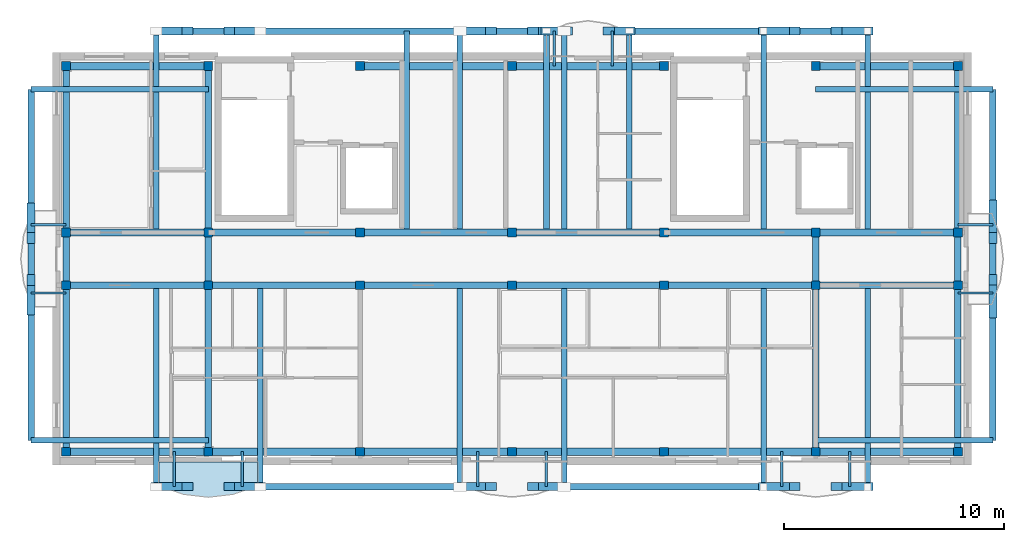
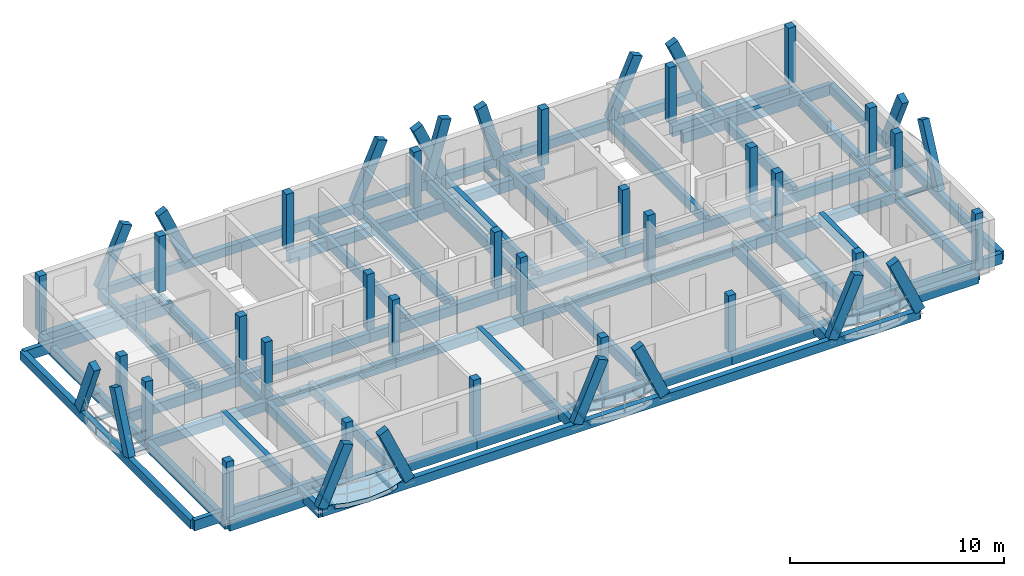
# One storey, part 1 of 7: 67 beams, 28 columns, 18 members, 1 slab.
"""IFC4 building model written with IfcOpenShell, lengths in metres."""

import ifcopenshell
import ifcopenshell.guid

model = None  # the IFC model being written
_history = None  # IfcOwnerHistory: only IFC2X3 demands one
_inside = {}  # id of a spatial element -> (the spatial element, [elements in it])
_under = {}  # id of a project, library or spatial element -> (it, [spatial elements below it])
_declared = {}  # id of a project -> (the project, [libraries it declares])
_typed = {}  # id of a type object -> (the type object, [elements of that type])
_made_of = {}  # id of a material, layer set ... -> (it, [elements and type objects made of it])


def new_model(schema):
    """Start an empty IFC model of exactly this schema.

    Asked for "IFC4X3", IfcOpenShell would pick the latest addendum, in which some entities
    have other attributes; the version numbers below select the first issue.
    IFC2X3 requires an IfcOwnerHistory on every rooted entity: one is made here for all.
    """
    global model, _history
    if schema == "IFC4X3":
        model = ifcopenshell.file(schema_version=(4, 3, 0, 0))
    else:
        model = ifcopenshell.file(schema=schema)
    _inside.clear()
    _under.clear()
    _declared.clear()
    _typed.clear()
    _made_of.clear()
    _history = None
    if model.schema == "IFC2X3":
        org = make("IfcOrganization", Name="unknown")
        user = make(
            "IfcPersonAndOrganization",
            ThePerson=make("IfcPerson", FamilyName="unknown"),
            TheOrganization=org,
        )
        app = make(
            "IfcApplication",
            ApplicationDeveloper=org,
            Version="unknown",
            ApplicationFullName="unknown",
            ApplicationIdentifier="unknown",
        )
        _history = make(
            "IfcOwnerHistory",
            OwningUser=user,
            OwningApplication=app,
            ChangeAction="ADDED",
            CreationDate=0,
        )
    return model


def make(cls, **values):
    """One entity of the class cls with the attributes given. An attribute that is None is left unset."""
    return model.create_entity(
        cls, **{name: value for name, value in values.items() if value is not None}
    )


def rooted(cls, **values):
    """An entity with a GlobalId (a new one), such as an element, a storey or a relation."""
    return make(cls, GlobalId=ifcopenshell.guid.new(), OwnerHistory=_history, **values)


def si_unit(unit_type, name, prefix=None):
    """IfcSIUnit, for example si_unit("LENGTHUNIT", "METRE", prefix="MILLI")."""
    return make("IfcSIUnit", UnitType=unit_type, Prefix=prefix, Name=name)


def assignment(units):
    """IfcUnitAssignment: the units of a project."""
    return None if units is None else make("IfcUnitAssignment", Units=units)


def point(xyz):
    """IfcCartesianPoint."""
    return None if xyz is None else make("IfcCartesianPoint", Coordinates=xyz)


def direction(xyz):
    """IfcDirection."""
    return None if xyz is None else make("IfcDirection", DirectionRatios=xyz)


def frame(location, z_axis=None, x_axis=None):
    """IfcAxis2Placement3D, a coordinate frame: its origin and axes. An axis left out is left unset."""
    return make(
        "IfcAxis2Placement3D",
        Location=point(location),
        Axis=direction(z_axis),
        RefDirection=direction(x_axis),
    )


def frame_2d(location, x_axis=None):
    """IfcAxis2Placement2D, a coordinate frame in the plane: its origin and x axis."""
    return make(
        "IfcAxis2Placement2D", Location=point(location), RefDirection=direction(x_axis)
    )


def origin():
    """The frame at (0, 0, 0) with its axes left unset."""
    return frame((0.0, 0.0, 0.0))


def origin_2d():
    """The frame at (0, 0) in the plane with its x axis left unset."""
    return frame_2d((0.0, 0.0))


def place(relative_to, where):
    """IfcLocalPlacement: puts the frame where relative to a parent placement (None: the world)."""
    return make(
        "IfcLocalPlacement", PlacementRelTo=relative_to, RelativePlacement=where
    )


def context(
    kind, dimensions, precision=None, world=None, true_north=None, identifier=None
):
    """IfcGeometricRepresentationContext, for example the 3D "Model" context."""
    return make(
        "IfcGeometricRepresentationContext",
        ContextIdentifier=identifier,
        ContextType=kind,
        CoordinateSpaceDimension=dimensions,
        Precision=precision,
        WorldCoordinateSystem=world,
        TrueNorth=true_north,
    )


def subcontext(parent, identifier, kind, view, scale=None):
    """IfcGeometricRepresentationSubContext, for example "Body" below "Model"."""
    return make(
        "IfcGeometricRepresentationSubContext",
        ContextIdentifier=identifier,
        ContextType=kind,
        ParentContext=parent,
        TargetScale=scale,
        TargetView=view,
    )


def project(units=None, contexts=None):
    """IfcProject with its units and contexts."""
    return rooted(
        "IfcProject",
        Name="project",
        RepresentationContexts=contexts,
        UnitsInContext=assignment(units),
    )


def spatial(cls, under=None, at=None, **own):
    """A site, building, storey or space (cls), placed at a placement, below another one or the project."""
    s = rooted(cls, ObjectPlacement=at, **own)
    if under is not None:
        _under.setdefault(under.id(), (under, []))[1].append(s)
    return s


def polyline(points):
    """IfcPolyline through the points."""
    return make("IfcPolyline", Points=[point(p) for p in points])


def profile(cls, at=None, kind="AREA", **sizes):
    """A parametric profile (cls). Its sizes go by their IFC names, for example OverallWidth=200.0."""
    return make(cls, ProfileType=kind, Position=at, **sizes)


def rectangle(**sizes):
    """IfcRectangleProfileDef."""
    return profile("IfcRectangleProfileDef", **sizes)


def i_section(**sizes):
    """IfcIShapeProfileDef."""
    return profile("IfcIShapeProfileDef", **sizes)


def outline(outer, holes=None, kind="AREA"):
    """IfcArbitraryClosedProfileDef: a profile drawn as a closed curve; with holes, ...WithVoids."""
    if holes is None:
        return make("IfcArbitraryClosedProfileDef", ProfileType=kind, OuterCurve=outer)
    return make(
        "IfcArbitraryProfileDefWithVoids",
        ProfileType=kind,
        OuterCurve=outer,
        InnerCurves=holes,
    )


def extrude(swept, where, along, depth):
    """IfcExtrudedAreaSolid: the profile swept, set in the frame where, extruded along a direction by depth."""
    return make(
        "IfcExtrudedAreaSolid",
        SweptArea=swept,
        Position=where,
        ExtrudedDirection=direction(along),
        Depth=depth,
    )


def shape(context_of_items, identifier, shape_type, items):
    """IfcShapeRepresentation: the items that make up one representation, for example the "Body"."""
    return make(
        "IfcShapeRepresentation",
        ContextOfItems=context_of_items,
        RepresentationIdentifier=identifier,
        RepresentationType=shape_type,
        Items=items,
    )


def material(Name=None, Category=None):
    """IfcMaterial."""
    return make("IfcMaterial", Name=Name, Category=Category)


def layer(
    of_material, thickness, ventilated=None, Name=None, Category=None, Priority=None
):
    """IfcMaterialLayer: one layer of a wall or slab, of a material (None: an air gap)."""
    return make(
        "IfcMaterialLayer",
        Material=of_material,
        LayerThickness=thickness,
        IsVentilated=ventilated,
        Name=Name,
        Category=Category,
        Priority=Priority,
    )


def layer_set(layers, Name=None):
    """IfcMaterialLayerSet."""
    return make("IfcMaterialLayerSet", MaterialLayers=layers, LayerSetName=Name)


def material_profile(
    of_material, cross_section, Name=None, Category=None, Priority=None
):
    """IfcMaterialProfile: a cross section and its material."""
    return make(
        "IfcMaterialProfile",
        Name=Name,
        Material=of_material,
        Profile=cross_section,
        Priority=Priority,
        Category=Category,
    )


def profile_set(profiles, Name=None, composite=None):
    """IfcMaterialProfileSet."""
    return make(
        "IfcMaterialProfileSet",
        Name=Name,
        MaterialProfiles=profiles,
        CompositeProfile=composite,
    )


def made_of(thing, what):
    """Note that an element or type object is made of a material, layer set ...; save() writes the relation."""
    if what is not None:
        _made_of.setdefault(what.id(), (what, []))[1].append(thing)
    return thing


def type_object(cls, material=None, **own):
    """A type object (cls), such as IfcWallType, which elements share."""
    return made_of(rooted(cls, **own), material)


def element(
    cls,
    number,
    at=None,
    inside=None,
    cuts=None,
    type_object=None,
    material=None,
    context=None,
    identifier="Body",
    shape_type=None,
    held_by="IfcProductDefinitionShape",
    body=None,
    shapes=None,
    **own,
):
    """One element of the class cls, such as IfcWall. Its Tag is "e" and its number.

    at: its placement. inside: the storey or other place that contains it. cuts: it is an
    opening in that element (IfcRelVoidsElement). A single representation is given by context,
    identifier, shape_type and body (its items); several are given by shapes. held_by: the class
    of the entity that holds the representations. save() writes the other relations.
    """
    e = rooted(cls, Tag="e%d" % number, ObjectPlacement=at, **own)
    if body is not None:
        shapes = [shape(context, identifier, shape_type, body)]
    if shapes is not None:
        e.Representation = make(held_by, Representations=shapes)
    if inside is not None:
        _inside.setdefault(inside.id(), (inside, []))[1].append(e)
    if cuts is not None:
        rooted(
            "IfcRelVoidsElement", RelatingBuildingElement=cuts, RelatedOpeningElement=e
        )
    if type_object is not None:
        _typed.setdefault(type_object.id(), (type_object, []))[1].append(e)
    return made_of(e, material)


def aggregate(whole, parts):
    """IfcRelAggregates: a whole, such as a stair, and the parts it consists of."""
    return rooted("IfcRelAggregates", RelatingObject=whole, RelatedObjects=parts)


def save(model, path):
    """Write the relations noted so far, then the file.

    IfcRelAggregates (storeys below a building ...), IfcRelContainedInSpatialStructure (elements
    in a storey), IfcRelDefinesByType, IfcRelAssociatesMaterial and IfcRelDeclares: one each for
    every whole, place, type object, material and project.
    """
    for whole, parts in _under.values():
        aggregate(whole, parts)
    for where, things in _inside.values():
        rooted(
            "IfcRelContainedInSpatialStructure",
            RelatedElements=things,
            RelatingStructure=where,
        )
    for kind, things in _typed.values():
        rooted("IfcRelDefinesByType", RelatedObjects=things, RelatingType=kind)
    for what, things in _made_of.values():
        rooted("IfcRelAssociatesMaterial", RelatedObjects=things, RelatingMaterial=what)
    for by, libraries in _declared.values():
        rooted("IfcRelDeclares", RelatingContext=by, RelatedDefinitions=libraries)
    model.write(path)


model = new_model("IFC4")

# Units and contexts
model_context = context("Model", 3, precision=1e-05, world=origin(), true_north=direction((0.0, 1.0)))
body_context = subcontext(model_context, "Body", "Model", "MODEL_VIEW")
ifc_project = project(units=[si_unit("LENGTHUNIT", "METRE"), si_unit("AREAUNIT", "SQUARE_METRE"), si_unit("VOLUMEUNIT", "CUBIC_METRE"), si_unit("PLANEANGLEUNIT", "RADIAN"), si_unit("MASSUNIT", "GRAM", prefix="KILO")], contexts=[model_context])

# Site, building, storey
site_placement = place(None, origin())
site = spatial("IfcSite", under=ifc_project, at=site_placement, CompositionType="ELEMENT")
building_placement = place(site_placement, origin())
building = spatial("IfcBuilding", under=site, at=building_placement, Name="Zavelmont Quarter", CompositionType="ELEMENT")
storey_placement = place(building_placement, frame((0.0, 0.0, 46.39990234375)))
storey = spatial("IfcBuildingStorey", under=building, at=storey_placement, Name="L14", CompositionType="ELEMENT", Elevation=46.39990234375)

# Columns
ifc_material_1 = material(Name="Concrete C35/45", Category="concrete")
ifc_material_profile_1 = material_profile(ifc_material_1, rectangle(XDim=0.39990234375, YDim=0.39990234375, at=origin_2d()), Name="RC400X400")
ifc_profile_set_1 = profile_set([ifc_material_profile_1], Name="Concrete C35/45")
column_type = type_object("IfcColumnType", Name="CL05", PredefinedType="COLUMN", material=ifc_profile_set_1)
for number, where, z_axis, x_axis, name in (
    (1, (0.43994140625, 0.43994140625, 0.0), (0.0, 0.0, 1.0), (1.0, 0.0, 0.0), "L14 column CL05 at 1/A"),
    (2, (0.43994140625, 8.0, 0.0), (0.0, 0.0, 1.0), (1.0, 0.0, 0.0), "L14 column CL05 at 1/B"),
    (3, (0.43994140625, 10.39990234375, 0.0), (0.0, 0.0, 1.0), (1.0, 0.0, 0.0), "L14 column CL05 at 1/C"),
    (4, (0.43994140625, 17.9599609375, 0.0), (0.0, 0.0, 1.0), (1.0, 0.0, 0.0), "L14 column CL05 at 1/D"),
    (5, (6.89990234375, 0.43994140625, 0.0), (0.0, 0.0, 1.0), (1.0, 0.0, 0.0), "L14 column CL05 at 2/A"),
    (6, (6.89990234375, 8.0, 0.0), (0.0, 0.0, 1.0), (1.0, 0.0, 0.0), "L14 column CL05 at 2/B"),
    (7, (6.89990234375, 10.39990234375, 0.0), (0.0, 0.0, 1.0), (1.0, 0.0, 0.0), "L14 column CL05 at 2/C"),
    (8, (6.89990234375, 17.9599609375, 0.0), (0.0, 0.0, 1.0), (1.0, 0.0, 0.0), "L14 column CL05 at 2/D"),
    (9, (13.800048828125, 0.43994140625, 0.0), (0.0, 0.0, 1.0), (1.0, 0.0, 0.0), "L14 column CL05 at 3/A"),
    (10, (13.800048828125, 8.0, 0.0), (0.0, 0.0, 1.0), (1.0, 0.0, 0.0), "L14 column CL05 at 3/B"),
    (11, (13.800048828125, 10.39990234375, 0.0), (0.0, 0.0, 1.0), (1.0, 0.0, 0.0), "L14 column CL05 at 3/C"),
    (12, (13.800048828125, 17.9599609375, 0.0), (0.0, 0.0, 1.0), (1.0, 0.0, 0.0), "L14 column CL05 at 3/D"),
    (13, (20.699951171875, 0.43994140625, 0.0), (0.0, 0.0, 1.0), (1.0, 0.0, 0.0), "L14 column CL05 at 4/A"),
    (14, (20.699951171875, 8.0, 0.0), (0.0, 0.0, 1.0), (1.0, 0.0, 0.0), "L14 column CL05 at 4/B"),
    (15, (20.699951171875, 10.39990234375, 0.0), (0.0, 0.0, 1.0), (1.0, 0.0, 0.0), "L14 column CL05 at 4/C"),
    (16, (20.699951171875, 17.9599609375, 0.0), (0.0, 0.0, 1.0), (1.0, 0.0, 0.0), "L14 column CL05 at 4/D"),
    (17, (27.60009765625, 0.43994140625, 0.0), (0.0, 0.0, 1.0), (1.0, 0.0, 0.0), "L14 column CL05 at 5/A"),
    (18, (27.60009765625, 8.0, 0.0), (0.0, 0.0, 1.0), (1.0, 0.0, 0.0), "L14 column CL05 at 5/B"),
    (19, (27.60009765625, 10.39990234375, 0.0), (0.0, 0.0, 1.0), (1.0, 0.0, 0.0), "L14 column CL05 at 5/C"),
    (20, (27.60009765625, 17.9599609375, 0.0), (0.0, 0.0, 1.0), (1.0, 0.0, 0.0), "L14 column CL05 at 5/D"),
    (21, (34.5, 0.43994140625, 0.0), (0.0, 0.0, 1.0), (1.0, 0.0, 0.0), "L14 column CL05 at 6/A"),
    (22, (34.5, 8.0, 0.0), (0.0, 0.0, 1.0), (1.0, 0.0, 0.0), "L14 column CL05 at 6/B"),
    (23, (34.5, 10.39990234375, 0.0), (0.0, 0.0, 1.0), (1.0, 0.0, 0.0), "L14 column CL05 at 6/C"),
    (24, (34.5, 17.9599609375, 0.0), (0.0, 0.0, 1.0), (1.0, 0.0, 0.0), "L14 column CL05 at 6/D"),
    (25, (40.9599609375, 0.43994140625, 0.0), (0.0, 0.0, 1.0), (1.0, 0.0, 0.0), "L14 column CL05 at 7/A"),
    (26, (40.9599609375, 8.0, 0.0), (0.0, 0.0, 1.0), (1.0, 0.0, 0.0), "L14 column CL05 at 7/B"),
    (27, (40.9599609375, 10.39990234375, 0.0), (0.0, 0.0, 1.0), (1.0, 0.0, 0.0), "L14 column CL05 at 7/C"),
    (28, (40.9599609375, 17.9599609375, 0.0), (0.0, 0.0, 1.0), (1.0, 0.0, 0.0), "L14 column CL05 at 7/D"),
):
    element("IfcColumn", number, at=place(storey_placement, frame(where, z_axis=z_axis, x_axis=x_axis)), inside=storey, type_object=column_type, Name=name, PredefinedType="COLUMN", context=body_context, shape_type="SweptSolid", body=[
        extrude(rectangle(XDim=0.39990234375, YDim=0.39990234375, at=origin_2d()), origin(), (0.0, 0.0, 1.0), 3.2001953125),
    ])

# Beams
ifc_material_profile_2 = material_profile(ifc_material_1, rectangle(XDim=0.35009765625, YDim=0.60009765625, at=origin_2d()), Name="RC350X600")
ifc_profile_set_2 = profile_set([ifc_material_profile_2], Name="Concrete C35/45")
beam_type_1 = type_object("IfcBeamType", Name="BM01", PredefinedType="SPANDREL", material=ifc_profile_set_2)
beam_1_placement = place(storey_placement, frame((0.43994140625, 0.43994140625, -0.52978515625), z_axis=(1.0, 0.0, 0.0), x_axis=(0.0, 1.0, 0.0)))
element("IfcBeam", 29, at=beam_1_placement, inside=storey, type_object=beam_type_1, Name="L14 beam BM01 1/A to 2/A", PredefinedType="SPANDREL", context=body_context, shape_type="SweptSolid", body=[
    extrude(rectangle(XDim=0.35009765625, YDim=0.60009765625, at=origin_2d()), origin(), (0.0, 0.0, 1.0), 6.4599609375),
])
beam_2_placement = place(storey_placement, frame((6.89990234375, 0.43994140625, -0.52978515625), z_axis=(1.0, 0.0, 0.0), x_axis=(0.0, 1.0, 0.0)))
element("IfcBeam", 30, at=beam_2_placement, inside=storey, type_object=beam_type_1, Name="L14 beam BM01 2/A to 3/A", PredefinedType="SPANDREL", context=body_context, shape_type="SweptSolid", body=[
    extrude(rectangle(XDim=0.35009765625, YDim=0.60009765625, at=origin_2d()), origin(), (0.0, 0.0, 1.0), 6.900146484375),
])
beam_3_placement = place(storey_placement, frame((13.800048828125, 0.43994140625, -0.52978515625), z_axis=(1.0, 0.0, 0.0), x_axis=(0.0, 1.0, 0.0)))
element("IfcBeam", 31, at=beam_3_placement, inside=storey, type_object=beam_type_1, Name="L14 beam BM01 3/A to 4/A", PredefinedType="SPANDREL", context=body_context, shape_type="SweptSolid", body=[
    extrude(rectangle(XDim=0.35009765625, YDim=0.60009765625, at=origin_2d()), origin(), (0.0, 0.0, 1.0), 6.89990234375),
])
beam_4_placement = place(storey_placement, frame((20.699951171875, 0.43994140625, -0.52978515625), z_axis=(1.0, 0.0, 0.0), x_axis=(0.0, 1.0, 0.0)))
element("IfcBeam", 32, at=beam_4_placement, inside=storey, type_object=beam_type_1, Name="L14 beam BM01 4/A to 5/A", PredefinedType="SPANDREL", context=body_context, shape_type="SweptSolid", body=[
    extrude(rectangle(XDim=0.35009765625, YDim=0.60009765625, at=origin_2d()), origin(), (0.0, 0.0, 1.0), 6.900146484375),
])
beam_5_placement = place(storey_placement, frame((27.60009765625, 0.43994140625, -0.52978515625), z_axis=(1.0, 0.0, 0.0), x_axis=(0.0, 1.0, 0.0)))
element("IfcBeam", 33, at=beam_5_placement, inside=storey, type_object=beam_type_1, Name="L14 beam BM01 5/A to 6/A", PredefinedType="SPANDREL", context=body_context, shape_type="SweptSolid", body=[
    extrude(rectangle(XDim=0.35009765625, YDim=0.60009765625, at=origin_2d()), origin(), (0.0, 0.0, 1.0), 6.89990234375),
])
for number, where, z_axis, x_axis, name in (
    (34, (34.5, 0.43994140625, -0.52978515625), (1.0, 0.0, 0.0), (0.0, 1.0, 0.0), "L14 beam BM01 6/A to 7/A"),
    (35, (0.43994140625, 17.9599609375, -0.52978515625), (1.0, 0.0, 0.0), (0.0, 1.0, 0.0), "L14 beam BM01 1/D to 2/D"),
):
    element("IfcBeam", number, at=place(storey_placement, frame(where, z_axis=z_axis, x_axis=x_axis)), inside=storey, type_object=beam_type_1, Name=name, PredefinedType="SPANDREL", context=body_context, shape_type="SweptSolid", body=[
        extrude(rectangle(XDim=0.35009765625, YDim=0.60009765625, at=origin_2d()), origin(), (0.0, 0.0, 1.0), 6.4599609375),
    ])
beam_6_placement = place(storey_placement, frame((13.800048828125, 17.9599609375, -0.52978515625), z_axis=(1.0, 0.0, 0.0), x_axis=(0.0, 1.0, 0.0)))
element("IfcBeam", 36, at=beam_6_placement, inside=storey, type_object=beam_type_1, Name="L14 beam BM01 3/D to 4/D", PredefinedType="SPANDREL", context=body_context, shape_type="SweptSolid", body=[
    extrude(rectangle(XDim=0.35009765625, YDim=0.60009765625, at=origin_2d()), origin(), (0.0, 0.0, 1.0), 6.89990234375),
])
beam_7_placement = place(storey_placement, frame((20.699951171875, 17.9599609375, -0.52978515625), z_axis=(1.0, 0.0, 0.0), x_axis=(0.0, 1.0, 0.0)))
element("IfcBeam", 37, at=beam_7_placement, inside=storey, type_object=beam_type_1, Name="L14 beam BM01 4/D to 5/D", PredefinedType="SPANDREL", context=body_context, shape_type="SweptSolid", body=[
    extrude(rectangle(XDim=0.35009765625, YDim=0.60009765625, at=origin_2d()), origin(), (0.0, 0.0, 1.0), 6.900146484375),
])
beam_8_placement = place(storey_placement, frame((34.5, 17.9599609375, -0.52978515625), z_axis=(1.0, 0.0, 0.0), x_axis=(0.0, 1.0, 0.0)))
element("IfcBeam", 38, at=beam_8_placement, inside=storey, type_object=beam_type_1, Name="L14 beam BM01 6/D to 7/D", PredefinedType="SPANDREL", context=body_context, shape_type="SweptSolid", body=[
    extrude(rectangle(XDim=0.35009765625, YDim=0.60009765625, at=origin_2d()), origin(), (0.0, 0.0, 1.0), 6.4599609375),
])
ifc_material_profile_3 = material_profile(ifc_material_1, rectangle(XDim=0.300048828125, YDim=0.550048828125, at=origin_2d()), Name="RC300X550")
ifc_profile_set_3 = profile_set([ifc_material_profile_3], Name="Concrete C35/45")
beam_type_2 = type_object("IfcBeamType", Name="BM02", PredefinedType="SPANDREL", material=ifc_profile_set_3)
beam_9_placement = place(storey_placement, frame((0.43994140625, 8.0, -0.5048828125), z_axis=(1.0, 0.0, 0.0), x_axis=(0.0, 1.0, 0.0)))
element("IfcBeam", 39, at=beam_9_placement, inside=storey, type_object=beam_type_2, Name="L14 beam BM02 1/B to 2/B", PredefinedType="SPANDREL", context=body_context, shape_type="SweptSolid", body=[
    extrude(rectangle(XDim=0.300048828125, YDim=0.550048828125, at=origin_2d()), origin(), (0.0, 0.0, 1.0), 6.4599609375),
])
beam_10_placement = place(storey_placement, frame((6.89990234375, 8.0, -0.5048828125), z_axis=(1.0, 0.0, 0.0), x_axis=(0.0, 1.0, 0.0)))
element("IfcBeam", 40, at=beam_10_placement, inside=storey, type_object=beam_type_2, Name="L14 beam BM02 2/B to 3/B", PredefinedType="SPANDREL", context=body_context, shape_type="SweptSolid", body=[
    extrude(rectangle(XDim=0.300048828125, YDim=0.550048828125, at=origin_2d()), origin(), (0.0, 0.0, 1.0), 6.900146484375),
])
beam_11_placement = place(storey_placement, frame((13.800048828125, 8.0, -0.5048828125), z_axis=(1.0, 0.0, 0.0), x_axis=(0.0, 1.0, 0.0)))
element("IfcBeam", 41, at=beam_11_placement, inside=storey, type_object=beam_type_2, Name="L14 beam BM02 3/B to 4/B", PredefinedType="SPANDREL", context=body_context, shape_type="SweptSolid", body=[
    extrude(rectangle(XDim=0.300048828125, YDim=0.550048828125, at=origin_2d()), origin(), (0.0, 0.0, 1.0), 6.89990234375),
])
beam_12_placement = place(storey_placement, frame((20.699951171875, 8.0, -0.5048828125), z_axis=(1.0, 0.0, 0.0), x_axis=(0.0, 1.0, 0.0)))
element("IfcBeam", 42, at=beam_12_placement, inside=storey, type_object=beam_type_2, Name="L14 beam BM02 4/B to 5/B", PredefinedType="SPANDREL", context=body_context, shape_type="SweptSolid", body=[
    extrude(rectangle(XDim=0.300048828125, YDim=0.550048828125, at=origin_2d()), origin(), (0.0, 0.0, 1.0), 6.900146484375),
])
beam_13_placement = place(storey_placement, frame((27.60009765625, 8.0, -0.5048828125), z_axis=(1.0, 0.0, 0.0), x_axis=(0.0, 1.0, 0.0)))
element("IfcBeam", 43, at=beam_13_placement, inside=storey, type_object=beam_type_2, Name="L14 beam BM02 5/B to 6/B", PredefinedType="SPANDREL", context=body_context, shape_type="SweptSolid", body=[
    extrude(rectangle(XDim=0.300048828125, YDim=0.550048828125, at=origin_2d()), origin(), (0.0, 0.0, 1.0), 6.89990234375),
])
for number, where, z_axis, x_axis, name in (
    (44, (34.5, 8.0, -0.5048828125), (1.0, 0.0, 0.0), (0.0, 1.0, 0.0), "L14 beam BM02 6/B to 7/B"),
    (45, (0.43994140625, 10.39990234375, -0.5048828125), (1.0, 0.0, 0.0), (0.0, 1.0, 0.0), "L14 beam BM02 1/C to 2/C"),
):
    element("IfcBeam", number, at=place(storey_placement, frame(where, z_axis=z_axis, x_axis=x_axis)), inside=storey, type_object=beam_type_2, Name=name, PredefinedType="SPANDREL", context=body_context, shape_type="SweptSolid", body=[
        extrude(rectangle(XDim=0.300048828125, YDim=0.550048828125, at=origin_2d()), origin(), (0.0, 0.0, 1.0), 6.4599609375),
    ])
beam_14_placement = place(storey_placement, frame((6.89990234375, 10.39990234375, -0.5048828125), z_axis=(1.0, 0.0, 0.0), x_axis=(0.0, 1.0, 0.0)))
element("IfcBeam", 46, at=beam_14_placement, inside=storey, type_object=beam_type_2, Name="L14 beam BM02 2/C to 3/C", PredefinedType="SPANDREL", context=body_context, shape_type="SweptSolid", body=[
    extrude(rectangle(XDim=0.300048828125, YDim=0.550048828125, at=origin_2d()), origin(), (0.0, 0.0, 1.0), 6.900146484375),
])
beam_15_placement = place(storey_placement, frame((13.800048828125, 10.39990234375, -0.5048828125), z_axis=(1.0, 0.0, 0.0), x_axis=(0.0, 1.0, 0.0)))
element("IfcBeam", 47, at=beam_15_placement, inside=storey, type_object=beam_type_2, Name="L14 beam BM02 3/C to 4/C", PredefinedType="SPANDREL", context=body_context, shape_type="SweptSolid", body=[
    extrude(rectangle(XDim=0.300048828125, YDim=0.550048828125, at=origin_2d()), origin(), (0.0, 0.0, 1.0), 6.89990234375),
])
beam_16_placement = place(storey_placement, frame((20.699951171875, 10.39990234375, -0.5048828125), z_axis=(1.0, 0.0, 0.0), x_axis=(0.0, 1.0, 0.0)))
element("IfcBeam", 48, at=beam_16_placement, inside=storey, type_object=beam_type_2, Name="L14 beam BM02 4/C to 5/C", PredefinedType="SPANDREL", context=body_context, shape_type="SweptSolid", body=[
    extrude(rectangle(XDim=0.300048828125, YDim=0.550048828125, at=origin_2d()), origin(), (0.0, 0.0, 1.0), 6.900146484375),
])
beam_17_placement = place(storey_placement, frame((27.60009765625, 10.39990234375, -0.5048828125), z_axis=(1.0, 0.0, 0.0), x_axis=(0.0, 1.0, 0.0)))
element("IfcBeam", 49, at=beam_17_placement, inside=storey, type_object=beam_type_2, Name="L14 beam BM02 5/C to 6/C", PredefinedType="SPANDREL", context=body_context, shape_type="SweptSolid", body=[
    extrude(rectangle(XDim=0.300048828125, YDim=0.550048828125, at=origin_2d()), origin(), (0.0, 0.0, 1.0), 6.89990234375),
])
beam_18_placement = place(storey_placement, frame((34.5, 10.39990234375, -0.5048828125), z_axis=(1.0, 0.0, 0.0), x_axis=(0.0, 1.0, 0.0)))
element("IfcBeam", 50, at=beam_18_placement, inside=storey, type_object=beam_type_2, Name="L14 beam BM02 6/C to 7/C", PredefinedType="SPANDREL", context=body_context, shape_type="SweptSolid", body=[
    extrude(rectangle(XDim=0.300048828125, YDim=0.550048828125, at=origin_2d()), origin(), (0.0, 0.0, 1.0), 6.4599609375),
])
beam_19_placement = place(storey_placement, frame((0.43994140625, 0.43994140625, -0.5048828125), z_axis=(0.0, 1.0, 0.0), x_axis=(-1.0, 0.0, 0.0)))
element("IfcBeam", 51, at=beam_19_placement, inside=storey, type_object=beam_type_2, Name="L14 beam BM02 1/A to 1/B", PredefinedType="SPANDREL", context=body_context, shape_type="SweptSolid", body=[
    extrude(rectangle(XDim=0.300048828125, YDim=0.550048828125, at=origin_2d()), origin(), (0.0, 0.0, 1.0), 7.56005859375),
])
beam_20_placement = place(storey_placement, frame((0.43994140625, 8.0, -0.5048828125), z_axis=(0.0, 1.0, 0.0), x_axis=(-1.0, 0.0, 0.0)))
element("IfcBeam", 52, at=beam_20_placement, inside=storey, type_object=beam_type_2, Name="L14 beam BM02 1/B to 1/C", PredefinedType="SPANDREL", context=body_context, shape_type="SweptSolid", body=[
    extrude(rectangle(XDim=0.300048828125, YDim=0.550048828125, at=origin_2d()), origin(), (0.0, 0.0, 1.0), 2.39990234375),
])
for number, where, z_axis, x_axis, name in (
    (53, (0.43994140625, 10.39990234375, -0.5048828125), (0.0, 1.0, 0.0), (-1.0, 0.0, 0.0), "L14 beam BM02 1/C to 1/D"),
    (54, (6.89990234375, 0.43994140625, -0.5048828125), (0.0, 1.0, 0.0), (-1.0, 0.0, 0.0), "L14 beam BM02 2/A to 2/B"),
):
    element("IfcBeam", number, at=place(storey_placement, frame(where, z_axis=z_axis, x_axis=x_axis)), inside=storey, type_object=beam_type_2, Name=name, PredefinedType="SPANDREL", context=body_context, shape_type="SweptSolid", body=[
        extrude(rectangle(XDim=0.300048828125, YDim=0.550048828125, at=origin_2d()), origin(), (0.0, 0.0, 1.0), 7.56005859375),
    ])
beam_21_placement = place(storey_placement, frame((6.89990234375, 8.0, -0.5048828125), z_axis=(0.0, 1.0, 0.0), x_axis=(-1.0, 0.0, 0.0)))
element("IfcBeam", 55, at=beam_21_placement, inside=storey, type_object=beam_type_2, Name="L14 beam BM02 2/B to 2/C", PredefinedType="SPANDREL", context=body_context, shape_type="SweptSolid", body=[
    extrude(rectangle(XDim=0.300048828125, YDim=0.550048828125, at=origin_2d()), origin(), (0.0, 0.0, 1.0), 2.39990234375),
])
for number, where, z_axis, x_axis, name in (
    (56, (6.89990234375, 10.39990234375, -0.5048828125), (0.0, 1.0, 0.0), (-1.0, 0.0, 0.0), "L14 beam BM02 2/C to 2/D"),
    (57, (34.5, 0.43994140625, -0.5048828125), (0.0, 1.0, 0.0), (-1.0, 0.0, 0.0), "L14 beam BM02 6/A to 6/B"),
):
    element("IfcBeam", number, at=place(storey_placement, frame(where, z_axis=z_axis, x_axis=x_axis)), inside=storey, type_object=beam_type_2, Name=name, PredefinedType="SPANDREL", context=body_context, shape_type="SweptSolid", body=[
        extrude(rectangle(XDim=0.300048828125, YDim=0.550048828125, at=origin_2d()), origin(), (0.0, 0.0, 1.0), 7.56005859375),
    ])
beam_22_placement = place(storey_placement, frame((34.5, 8.0, -0.5048828125), z_axis=(0.0, 1.0, 0.0), x_axis=(-1.0, 0.0, 0.0)))
element("IfcBeam", 58, at=beam_22_placement, inside=storey, type_object=beam_type_2, Name="L14 beam BM02 6/B to 6/C", PredefinedType="SPANDREL", context=body_context, shape_type="SweptSolid", body=[
    extrude(rectangle(XDim=0.300048828125, YDim=0.550048828125, at=origin_2d()), origin(), (0.0, 0.0, 1.0), 2.39990234375),
])
beam_23_placement = place(storey_placement, frame((40.9599609375, 0.43994140625, -0.5048828125), z_axis=(0.0, 1.0, 0.0), x_axis=(-1.0, 0.0, 0.0)))
element("IfcBeam", 59, at=beam_23_placement, inside=storey, type_object=beam_type_2, Name="L14 beam BM02 7/A to 7/B", PredefinedType="SPANDREL", context=body_context, shape_type="SweptSolid", body=[
    extrude(rectangle(XDim=0.300048828125, YDim=0.550048828125, at=origin_2d()), origin(), (0.0, 0.0, 1.0), 7.56005859375),
])
beam_24_placement = place(storey_placement, frame((40.9599609375, 8.0, -0.5048828125), z_axis=(0.0, 1.0, 0.0), x_axis=(-1.0, 0.0, 0.0)))
element("IfcBeam", 60, at=beam_24_placement, inside=storey, type_object=beam_type_2, Name="L14 beam BM02 7/B to 7/C", PredefinedType="SPANDREL", context=body_context, shape_type="SweptSolid", body=[
    extrude(rectangle(XDim=0.300048828125, YDim=0.550048828125, at=origin_2d()), origin(), (0.0, 0.0, 1.0), 2.39990234375),
])
beam_25_placement = place(storey_placement, frame((40.9599609375, 10.39990234375, -0.5048828125), z_axis=(0.0, 1.0, 0.0), x_axis=(-1.0, 0.0, 0.0)))
element("IfcBeam", 61, at=beam_25_placement, inside=storey, type_object=beam_type_2, Name="L14 beam BM02 7/C to 7/D", PredefinedType="SPANDREL", context=body_context, shape_type="SweptSolid", body=[
    extrude(rectangle(XDim=0.300048828125, YDim=0.550048828125, at=origin_2d()), origin(), (0.0, 0.0, 1.0), 7.56005859375),
])
ifc_material_profile_4 = material_profile(ifc_material_1, rectangle(XDim=0.300048828125, YDim=0.5, at=origin_2d()), Name="RC300X500")
ifc_profile_set_4 = profile_set([ifc_material_profile_4], Name="Concrete C35/45")
beam_type_3 = type_object("IfcBeamType", Name="BM03", PredefinedType="BEAM", material=ifc_profile_set_4)
for number, where, z_axis, x_axis, name in (
    (62, (4.537109375, -1.14990234375, -0.25), (1.0, 0.0, 0.0), (0.0, 1.0, 0.0), "L14 beam BM03 2/A to 6/A"),
    (63, (4.537109375, 19.550048828125, -0.25), (1.0, 0.0, 0.0), (0.0, 1.0, 0.0), "L14 beam BM03 2/D to 6/D"),
):
    element("IfcBeam", number, at=place(storey_placement, frame(where, z_axis=z_axis, x_axis=x_axis)), inside=storey, type_object=beam_type_3, Name=name, PredefinedType="BEAM", context=body_context, shape_type="SweptSolid", body=[
        extrude(rectangle(XDim=0.300048828125, YDim=0.5, at=origin_2d()), origin(), (0.0, 0.0, 1.0), 32.325927734375),
    ])
for number, where, z_axis, x_axis, name in (
    (64, (-1.14990234375, 0.949951171875, -0.25), (0.0, 1.0, 0.0), (-1.0, 0.0, 0.0), "L14 beam BM03 1/A to 1/D"),
    (65, (42.550048828125, 0.949951171875, -0.25), (0.0, 1.0, 0.0), (-1.0, 0.0, 0.0), "L14 beam BM03 7/A to 7/D"),
):
    element("IfcBeam", number, at=place(storey_placement, frame(where, z_axis=z_axis, x_axis=x_axis)), inside=storey, type_object=beam_type_3, Name=name, PredefinedType="BEAM", context=body_context, shape_type="SweptSolid", body=[
        extrude(rectangle(XDim=0.300048828125, YDim=0.5, at=origin_2d()), origin(), (0.0, 0.0, 1.0), 15.949951171875),
    ])
ifc_material_2 = material(Name="Steel S355", Category="steel")
ifc_material_profile_5 = material_profile(ifc_material_2, i_section(OverallWidth=0.110107421875, OverallDepth=0.219970703125, WebThickness=0.005859375, FlangeThickness=0.00927734375, at=origin_2d()), Name="IPE 220")
ifc_profile_set_5 = profile_set([ifc_material_profile_5], Name="Steel S355")
beam_type_4 = type_object("IfcBeamType", Name="BM15", PredefinedType="JOIST", material=ifc_profile_set_5)
for number, where, z_axis, x_axis, name in (
    (66, (5.35009765625, 0.43994140625, -0.366943359375), (0.0, -1.0, 0.0), (1.0, 0.0, 0.0), "L14 beam BM15 2/A to 2/A"),
    (67, (8.449951171875, 0.43994140625, -0.366943359375), (0.0, -1.0, 0.0), (1.0, 0.0, 0.0), "L14 beam BM15 2/A to 2/A"),
    (68, (19.14990234375, 0.43994140625, -0.35693359375), (0.0, -1.0, 0.0), (1.0, 0.0, 0.0), "L14 beam BM15 4/A to 4/A"),
    (69, (22.25, 0.43994140625, -0.35693359375), (0.0, -1.0, 0.0), (1.0, 0.0, 0.0), "L14 beam BM15 4/A to 4/A"),
    (70, (32.949951171875, 0.43994140625, -0.346923828125), (0.0, -1.0, 0.0), (1.0, 0.0, 0.0), "L14 beam BM15 6/A to 6/A"),
    (71, (36.050048828125, 0.43994140625, -0.346923828125), (0.0, -1.0, 0.0), (1.0, 0.0, 0.0), "L14 beam BM15 6/A to 6/A"),
    (72, (0.43994140625, 7.64990234375, -0.35693359375), (-1.0, 0.0, 0.0), (0.0, -1.0, 0.0), "L14 beam BM15 1/B to 1/B"),
    (73, (0.43994140625, 10.75, -0.35693359375), (-1.0, 0.0, 0.0), (0.0, -1.0, 0.0), "L14 beam BM15 1/C to 1/C"),
):
    element("IfcBeam", number, at=place(storey_placement, frame(where, z_axis=z_axis, x_axis=x_axis)), inside=storey, type_object=beam_type_4, Name=name, PredefinedType="JOIST", context=body_context, shape_type="SweptSolid", body=[
        extrude(i_section(OverallWidth=0.110107421875, OverallDepth=0.219970703125, WebThickness=0.005859375, FlangeThickness=0.00927734375, at=origin_2d()), origin(), (0.0, 0.0, 1.0), 1.58984375),
    ])
for number, where, z_axis, x_axis, name in (
    (74, (40.9599609375, 7.64990234375, -0.346923828125), (1.0, 0.0, 0.0), (0.0, 1.0, 0.0), "L14 beam BM15 7/B to 7/B"),
    (75, (40.9599609375, 10.75, -0.346923828125), (1.0, 0.0, 0.0), (0.0, 1.0, 0.0), "L14 beam BM15 7/C to 7/C"),
    (76, (22.617431640625, 17.9599609375, -0.366943359375), (0.0, 1.0, 0.0), (-1.0, 0.0, 0.0), "L14 beam BM15 4/D to 4/D"),
    (77, (25.262451171875, 17.9599609375, -0.366943359375), (0.0, 1.0, 0.0), (-1.0, 0.0, 0.0), "L14 beam BM15 5/D to 5/D"),
):
    element("IfcBeam", number, at=place(storey_placement, frame(where, z_axis=z_axis, x_axis=x_axis)), inside=storey, type_object=beam_type_4, Name=name, PredefinedType="JOIST", context=body_context, shape_type="SweptSolid", body=[
        extrude(i_section(OverallWidth=0.110107421875, OverallDepth=0.219970703125, WebThickness=0.005859375, FlangeThickness=0.00927734375, at=origin_2d()), origin(), (0.0, 0.0, 1.0), 1.590087890625),
    ])
ifc_material_3 = material(Name="Concrete C40/50", Category="concrete")
ifc_material_profile_6 = material_profile(ifc_material_3, rectangle(XDim=0.25, YDim=0.60009765625, at=origin_2d()), Name="RC250X600")
ifc_profile_set_6 = profile_set([ifc_material_profile_6], Name="Concrete C40/50")
beam_type_5 = type_object("IfcBeamType", Name="BM18", PredefinedType="BEAM", material=ifc_profile_set_6)
for number, where, z_axis, x_axis, name in (
    (78, (4.537109375, 8.0, -0.2998046875), (0.0, -1.0, 0.0), (1.0, 0.0, 0.0), "L14 beam BM18 2/B to 2/A"),
    (79, (9.262939453125, 8.0, -0.2998046875), (0.0, -1.0, 0.0), (1.0, 0.0, 0.0), "L14 beam BM18 2/B to 2/A"),
    (80, (18.3369140625, 8.0, -0.2998046875), (0.0, -1.0, 0.0), (1.0, 0.0, 0.0), "L14 beam BM18 4/B to 4/A"),
    (81, (23.06298828125, 8.0, -0.2998046875), (0.0, -1.0, 0.0), (1.0, 0.0, 0.0), "L14 beam BM18 4/B to 4/A"),
    (82, (32.136962890625, 8.0, -0.2998046875), (0.0, -1.0, 0.0), (1.0, 0.0, 0.0), "L14 beam BM18 6/B to 6/A"),
    (83, (36.863037109375, 8.0, -0.2998046875), (0.0, -1.0, 0.0), (1.0, 0.0, 0.0), "L14 beam BM18 6/B to 6/A"),
):
    element("IfcBeam", number, at=place(storey_placement, frame(where, z_axis=z_axis, x_axis=x_axis)), inside=storey, type_object=beam_type_5, Name=name, PredefinedType="BEAM", context=body_context, shape_type="SweptSolid", body=[
        extrude(rectangle(XDim=0.25, YDim=0.60009765625, at=origin_2d()), origin(), (0.0, 0.0, 1.0), 9.14990234375),
    ])
for number, where, z_axis, x_axis, name in (
    (84, (4.537109375, 10.39990234375, -0.2998046875), (0.0, 1.0, 0.0), (-1.0, 0.0, 0.0), "L14 beam BM18 2/C to 2/D"),
    (85, (15.925048828125, 10.39990234375, -0.2998046875), (0.0, 1.0, 0.0), (-1.0, 0.0, 0.0), "L14 beam BM18 3/C to 3/D"),
    (86, (18.3369140625, 10.39990234375, -0.2998046875), (0.0, 1.0, 0.0), (-1.0, 0.0, 0.0), "L14 beam BM18 4/C to 4/D"),
    (87, (23.06298828125, 10.39990234375, -0.2998046875), (0.0, 1.0, 0.0), (-1.0, 0.0, 0.0), "L14 beam BM18 4/C to 4/D"),
    (88, (32.136962890625, 10.39990234375, -0.2998046875), (0.0, 1.0, 0.0), (-1.0, 0.0, 0.0), "L14 beam BM18 6/C to 6/D"),
    (89, (36.863037109375, 10.39990234375, -0.2998046875), (0.0, 1.0, 0.0), (-1.0, 0.0, 0.0), "L14 beam BM18 6/C to 6/D"),
    (90, (22.267578125, 10.39990234375, -0.2998046875), (0.0, 1.0, 0.0), (-1.0, 0.0, 0.0), "L14 beam BM18 4/C to 4/D"),
    (91, (26.032470703125, 10.39990234375, -0.2998046875), (0.0, 1.0, 0.0), (-1.0, 0.0, 0.0), "L14 beam BM18 5/C to 5/D"),
):
    element("IfcBeam", number, at=place(storey_placement, frame(where, z_axis=z_axis, x_axis=x_axis)), inside=storey, type_object=beam_type_5, Name=name, PredefinedType="BEAM", context=body_context, shape_type="SweptSolid", body=[
        extrude(rectangle(XDim=0.25, YDim=0.60009765625, at=origin_2d()), origin(), (0.0, 0.0, 1.0), 9.150146484375),
    ])
for number, where, z_axis, x_axis, name in (
    (92, (6.89990234375, 0.949951171875, -0.2998046875), (-1.0, 0.0, 0.0), (0.0, -1.0, 0.0), "L14 beam BM18 2/A to 1/A"),
    (93, (6.89990234375, 16.89990234375, -0.2998046875), (-1.0, 0.0, 0.0), (0.0, -1.0, 0.0), "L14 beam BM18 2/D to 1/D"),
):
    element("IfcBeam", number, at=place(storey_placement, frame(where, z_axis=z_axis, x_axis=x_axis)), inside=storey, type_object=beam_type_5, Name=name, PredefinedType="BEAM", context=body_context, shape_type="SweptSolid", body=[
        extrude(rectangle(XDim=0.25, YDim=0.60009765625, at=origin_2d()), origin(), (0.0, 0.0, 1.0), 8.0498046875),
    ])
for number, where, z_axis, x_axis, name in (
    (94, (34.5, 0.949951171875, -0.2998046875), (1.0, 0.0, 0.0), (0.0, 1.0, 0.0), "L14 beam BM18 6/A to 7/A"),
    (95, (34.5, 16.89990234375, -0.2998046875), (1.0, 0.0, 0.0), (0.0, 1.0, 0.0), "L14 beam BM18 6/D to 7/D"),
):
    element("IfcBeam", number, at=place(storey_placement, frame(where, z_axis=z_axis, x_axis=x_axis)), inside=storey, type_object=beam_type_5, Name=name, PredefinedType="BEAM", context=body_context, shape_type="SweptSolid", body=[
        extrude(rectangle(XDim=0.25, YDim=0.60009765625, at=origin_2d()), origin(), (0.0, 0.0, 1.0), 8.050048828125),
    ])

# Members
ifc_material_4 = material(Name="White architectural precast concrete C40/50", Category="concrete")
ifc_material_profile_7 = material_profile(ifc_material_4, rectangle(XDim=0.360107421875, YDim=0.5400390625, at=origin_2d()), Name="PCR280X420")
ifc_profile_set_7 = profile_set([ifc_material_profile_7], Name="White architectural precast concrete C40/50")
member_type = type_object("IfcMemberType", Name="VR02M", PredefinedType="CHORD", material=ifc_profile_set_7)
for number, where, z_axis, x_axis, name in (
    (96, (4.537109375, -1.14990234375, 0.0), (0.403877308713, 0.0, 0.914813160983), (0.0, 1.0, 0.0), "L14 member VR02M 2/A to 2/A"),
    (97, (9.262939453125, -1.14990234375, 0.0), (-0.403877308713, 0.0, 0.914813160983), (0.0, -1.0, 0.0), "L14 member VR02M 2/A to 2/A"),
    (98, (18.3369140625, -1.14990234375, 0.0), (0.403935712689, 0.0, 0.91478737421), (0.0, 1.0, 0.0), "L14 member VR02M 4/A to 4/A"),
    (99, (23.06298828125, -1.14990234375, 0.0), (-0.403935712689, 0.0, 0.91478737421), (0.0, -1.0, 0.0), "L14 member VR02M 4/A to 4/A"),
    (100, (32.136962890625, -1.14990234375, 0.0), (0.403935712689, 0.0, 0.91478737421), (0.0, 1.0, 0.0), "L14 member VR02M 6/A to 6/A"),
    (101, (36.863037109375, -1.14990234375, 0.0), (-0.403935712689, 0.0, 0.91478737421), (0.0, -1.0, 0.0), "L14 member VR02M 6/A to 6/A"),
    (102, (4.537109375, 19.550048828125, 0.0), (0.403877308713, 0.0, 0.914813160983), (0.0, 1.0, 0.0), "L14 member VR02M 2/D to 2/D"),
    (103, (9.262939453125, 19.550048828125, 0.0), (-0.403877308713, 0.0, 0.914813160983), (0.0, -1.0, 0.0), "L14 member VR02M 2/D to 2/D"),
    (104, (18.3369140625, 19.550048828125, 0.0), (0.403935712689, 0.0, 0.91478737421), (0.0, 1.0, 0.0), "L14 member VR02M 4/D to 4/D"),
    (105, (23.06298828125, 19.550048828125, 0.0), (-0.403935712689, 0.0, 0.91478737421), (0.0, -1.0, 0.0), "L14 member VR02M 4/D to 4/D"),
    (106, (32.136962890625, 19.550048828125, 0.0), (0.403935712689, 0.0, 0.91478737421), (0.0, 1.0, 0.0), "L14 member VR02M 6/D to 6/D"),
    (107, (36.863037109375, 19.550048828125, 0.0), (-0.403935712689, 0.0, 0.91478737421), (0.0, -1.0, 0.0), "L14 member VR02M 6/D to 6/D"),
):
    element("IfcMember", number, at=place(storey_placement, frame(where, z_axis=z_axis, x_axis=x_axis)), inside=storey, type_object=member_type, Name=name, PredefinedType="CHORD", context=body_context, shape_type="SweptSolid", body=[
        extrude(rectangle(XDim=0.360107421875, YDim=0.5400390625, at=origin_2d()), origin(), (0.0, 0.0, 1.0), 3.498291015625),
    ])
for number, where, z_axis, x_axis, name in (
    (108, (22.267578125, 19.550048828125, 0.0), (0.279718731129, 0.0, 0.960081992049), (0.0, 1.0, 0.0), "L14 member VR02M 4/D to 4/D"),
    (109, (26.032470703125, 19.550048828125, 0.0), (-0.279718731129, 0.0, 0.960081992049), (0.0, -1.0, 0.0), "L14 member VR02M 5/D to 5/D"),
):
    element("IfcMember", number, at=place(storey_placement, frame(where, z_axis=z_axis, x_axis=x_axis)), inside=storey, type_object=member_type, Name=name, PredefinedType="CHORD", context=body_context, shape_type="SweptSolid", body=[
        extrude(rectangle(XDim=0.360107421875, YDim=0.5400390625, at=origin_2d()), origin(), (0.0, 0.0, 1.0), 3.333251953125),
    ])
for number, where, z_axis, x_axis, name in (
    (110, (-1.14990234375, 6.908203125, 0.0), (0.0, 0.386672632768, 0.922217043363), (-1.0, 0.0, 0.0), "L14 member VR02M 1/B to 1/B"),
    (111, (-1.14990234375, 11.49169921875, 0.0), (0.0, -0.386672632768, 0.922217043363), (1.0, 0.0, 0.0), "L14 member VR02M 1/C to 1/C"),
):
    element("IfcMember", number, at=place(storey_placement, frame(where, z_axis=z_axis, x_axis=x_axis)), inside=storey, type_object=member_type, Name=name, PredefinedType="CHORD", context=body_context, shape_type="SweptSolid", body=[
        extrude(rectangle(XDim=0.360107421875, YDim=0.5400390625, at=origin_2d()), origin(), (0.0, 0.0, 1.0), 3.47021484375),
    ])
for number, where, z_axis, x_axis, name in (
    (112, (42.550048828125, 6.767822265625, 0.0), (0.0, 0.420265023655, 0.907401405053), (-1.0, 0.0, 0.0), "L14 member VR02M 7/B to 7/B"),
    (113, (42.550048828125, 11.632080078125, 0.0), (0.0, -0.420265023655, 0.907401405053), (1.0, 0.0, 0.0), "L14 member VR02M 7/C to 7/C"),
):
    element("IfcMember", number, at=place(storey_placement, frame(where, z_axis=z_axis, x_axis=x_axis)), inside=storey, type_object=member_type, Name=name, PredefinedType="CHORD", context=body_context, shape_type="SweptSolid", body=[
        extrude(rectangle(XDim=0.360107421875, YDim=0.5400390625, at=origin_2d()), origin(), (0.0, 0.0, 1.0), 3.52685546875),
    ])

# Slab
ifc_layer = layer(ifc_material_4, 0.2548828125)
ifc_layer_set = layer_set([ifc_layer], Name="White architectural precast concrete C40/50")
slab_type = type_object("IfcSlabType", Name="SL-BL220", PredefinedType="FLOOR", material=ifc_layer_set)
slab_placement = place(storey_placement, frame((0.0, 0.0, -0.2548828125)))
element("IfcSlab", 114, at=slab_placement, inside=storey, type_object=slab_type, Name="L14 Block A street vase 1 balcony SL-BL220", PredefinedType="FLOOR", context=body_context, shape_type="SweptSolid", body=[
    extrude(outline(polyline([(4.636962890625, -0.02001953125), (4.636962890625, -1.10009765625), (5.7685546875, -1.4990234375), (6.89990234375, -1.632080078125), (8.031494140625, -1.4990234375), (9.1630859375, -1.10009765625), (9.1630859375, -0.02001953125), (4.636962890625, -0.02001953125)])), origin(), (0.0, 0.0, 1.0), 0.2548828125),
])

save(model, "model.ifc")
